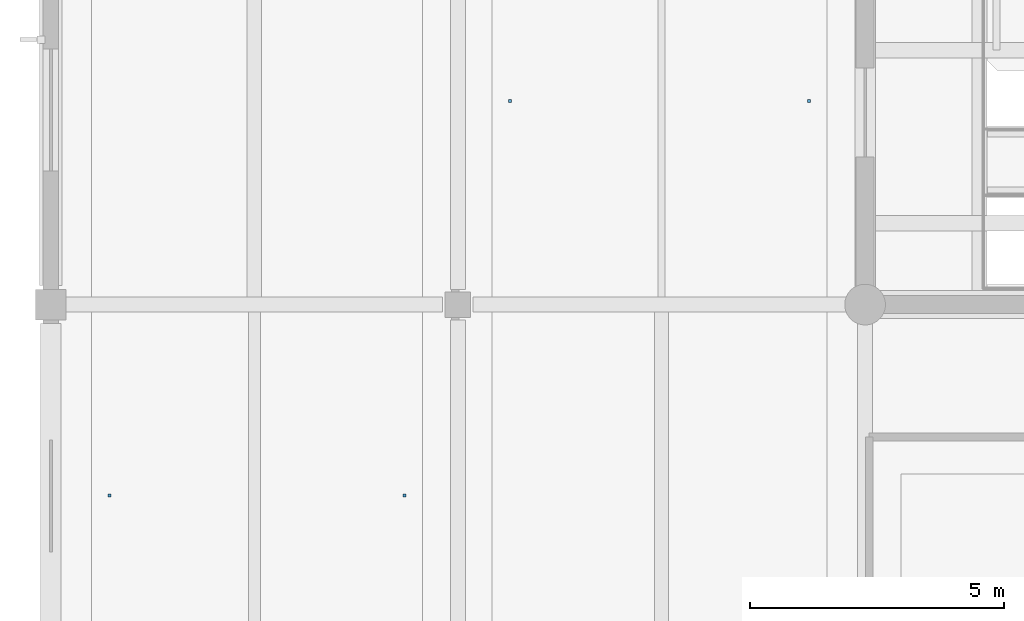
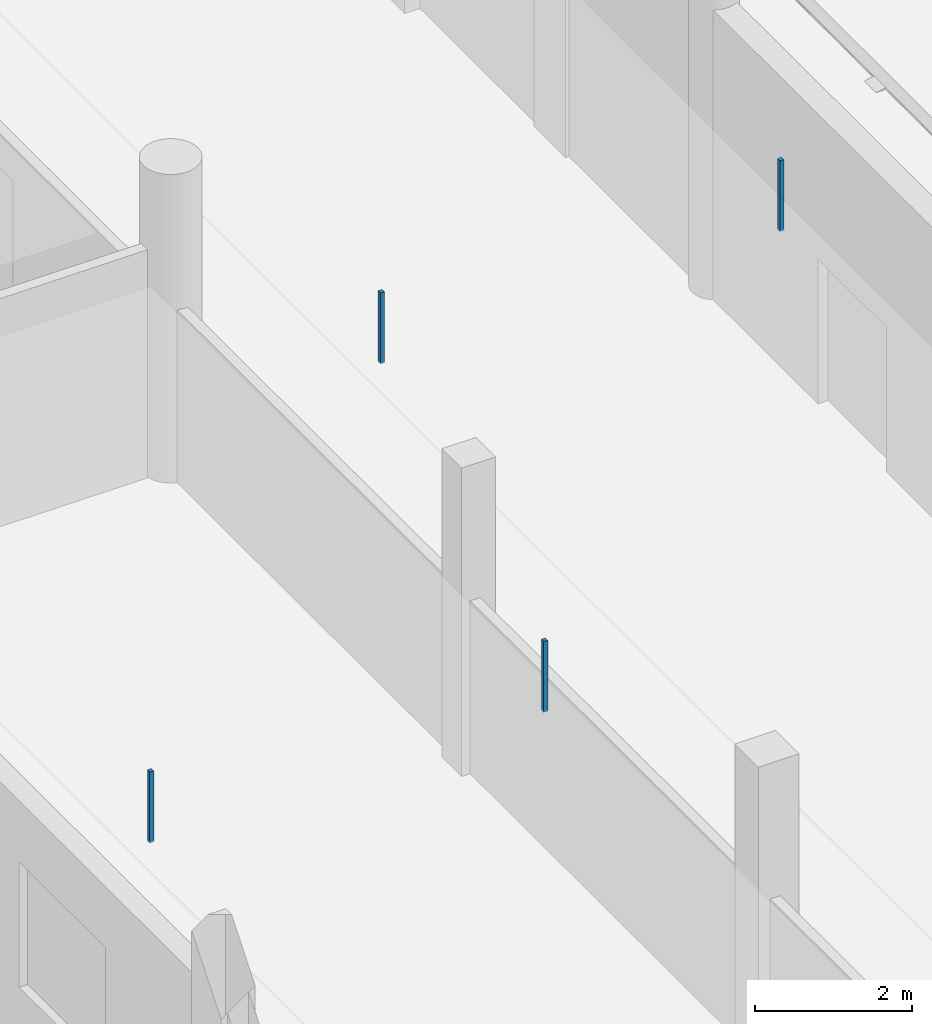
# One storey, part 107 of 147: 4 discrete accessories.
"""IFC4 building model written with IfcOpenShell, lengths in metres."""

import ifcopenshell
import ifcopenshell.guid

model = None  # the IFC model being written
_history = None  # IfcOwnerHistory: only IFC2X3 demands one
_inside = {}  # id of a spatial element -> (the spatial element, [elements in it])
_under = {}  # id of a project, library or spatial element -> (it, [spatial elements below it])
_declared = {}  # id of a project -> (the project, [libraries it declares])
_typed = {}  # id of a type object -> (the type object, [elements of that type])
_made_of = {}  # id of a material, layer set ... -> (it, [elements and type objects made of it])


def new_model(schema):
    """Start an empty IFC model of exactly this schema.

    Asked for "IFC4X3", IfcOpenShell would pick the latest addendum, in which some entities
    have other attributes; the version numbers below select the first issue.
    IFC2X3 requires an IfcOwnerHistory on every rooted entity: one is made here for all.
    """
    global model, _history
    if schema == "IFC4X3":
        model = ifcopenshell.file(schema_version=(4, 3, 0, 0))
    else:
        model = ifcopenshell.file(schema=schema)
    _inside.clear()
    _under.clear()
    _declared.clear()
    _typed.clear()
    _made_of.clear()
    _history = None
    if model.schema == "IFC2X3":
        org = make("IfcOrganization", Name="unknown")
        user = make(
            "IfcPersonAndOrganization",
            ThePerson=make("IfcPerson", FamilyName="unknown"),
            TheOrganization=org,
        )
        app = make(
            "IfcApplication",
            ApplicationDeveloper=org,
            Version="unknown",
            ApplicationFullName="unknown",
            ApplicationIdentifier="unknown",
        )
        _history = make(
            "IfcOwnerHistory",
            OwningUser=user,
            OwningApplication=app,
            ChangeAction="ADDED",
            CreationDate=0,
        )
    return model


def make(cls, **values):
    """One entity of the class cls with the attributes given. An attribute that is None is left unset."""
    return model.create_entity(
        cls, **{name: value for name, value in values.items() if value is not None}
    )


def rooted(cls, **values):
    """An entity with a GlobalId (a new one), such as an element, a storey or a relation."""
    return make(cls, GlobalId=ifcopenshell.guid.new(), OwnerHistory=_history, **values)


def si_unit(unit_type, name, prefix=None):
    """IfcSIUnit, for example si_unit("LENGTHUNIT", "METRE", prefix="MILLI")."""
    return make("IfcSIUnit", UnitType=unit_type, Prefix=prefix, Name=name)


def assignment(units):
    """IfcUnitAssignment: the units of a project."""
    return None if units is None else make("IfcUnitAssignment", Units=units)


def point(xyz):
    """IfcCartesianPoint."""
    return None if xyz is None else make("IfcCartesianPoint", Coordinates=xyz)


def direction(xyz):
    """IfcDirection."""
    return None if xyz is None else make("IfcDirection", DirectionRatios=xyz)


def frame(location, z_axis=None, x_axis=None):
    """IfcAxis2Placement3D, a coordinate frame: its origin and axes. An axis left out is left unset."""
    return make(
        "IfcAxis2Placement3D",
        Location=point(location),
        Axis=direction(z_axis),
        RefDirection=direction(x_axis),
    )


def frame_2d(location, x_axis=None):
    """IfcAxis2Placement2D, a coordinate frame in the plane: its origin and x axis."""
    return make(
        "IfcAxis2Placement2D", Location=point(location), RefDirection=direction(x_axis)
    )


def origin():
    """The frame at (0, 0, 0) with its axes left unset."""
    return frame((0.0, 0.0, 0.0))


def origin_2d():
    """The frame at (0, 0) in the plane with its x axis left unset."""
    return frame_2d((0.0, 0.0))


def place(relative_to, where):
    """IfcLocalPlacement: puts the frame where relative to a parent placement (None: the world)."""
    return make(
        "IfcLocalPlacement", PlacementRelTo=relative_to, RelativePlacement=where
    )


def context(
    kind, dimensions, precision=None, world=None, true_north=None, identifier=None
):
    """IfcGeometricRepresentationContext, for example the 3D "Model" context."""
    return make(
        "IfcGeometricRepresentationContext",
        ContextIdentifier=identifier,
        ContextType=kind,
        CoordinateSpaceDimension=dimensions,
        Precision=precision,
        WorldCoordinateSystem=world,
        TrueNorth=true_north,
    )


def subcontext(parent, identifier, kind, view, scale=None):
    """IfcGeometricRepresentationSubContext, for example "Body" below "Model"."""
    return make(
        "IfcGeometricRepresentationSubContext",
        ContextIdentifier=identifier,
        ContextType=kind,
        ParentContext=parent,
        TargetScale=scale,
        TargetView=view,
    )


def project(units=None, contexts=None):
    """IfcProject with its units and contexts."""
    return rooted(
        "IfcProject",
        Name="project",
        RepresentationContexts=contexts,
        UnitsInContext=assignment(units),
    )


def spatial(cls, under=None, at=None, **own):
    """A site, building, storey or space (cls), placed at a placement, below another one or the project."""
    s = rooted(cls, ObjectPlacement=at, **own)
    if under is not None:
        _under.setdefault(under.id(), (under, []))[1].append(s)
    return s


def profile(cls, at=None, kind="AREA", **sizes):
    """A parametric profile (cls). Its sizes go by their IFC names, for example OverallWidth=200.0."""
    return make(cls, ProfileType=kind, Position=at, **sizes)


def rectangle(**sizes):
    """IfcRectangleProfileDef."""
    return profile("IfcRectangleProfileDef", **sizes)


def extrude(swept, where, along, depth):
    """IfcExtrudedAreaSolid: the profile swept, set in the frame where, extruded along a direction by depth."""
    return make(
        "IfcExtrudedAreaSolid",
        SweptArea=swept,
        Position=where,
        ExtrudedDirection=direction(along),
        Depth=depth,
    )


def shape(context_of_items, identifier, shape_type, items):
    """IfcShapeRepresentation: the items that make up one representation, for example the "Body"."""
    return make(
        "IfcShapeRepresentation",
        ContextOfItems=context_of_items,
        RepresentationIdentifier=identifier,
        RepresentationType=shape_type,
        Items=items,
    )


def material(Name=None, Category=None):
    """IfcMaterial."""
    return make("IfcMaterial", Name=Name, Category=Category)


def made_of(thing, what):
    """Note that an element or type object is made of a material, layer set ...; save() writes the relation."""
    if what is not None:
        _made_of.setdefault(what.id(), (what, []))[1].append(thing)
    return thing


def type_object(cls, material=None, **own):
    """A type object (cls), such as IfcWallType, which elements share."""
    return made_of(rooted(cls, **own), material)


def element(
    cls,
    number,
    at=None,
    inside=None,
    cuts=None,
    type_object=None,
    material=None,
    context=None,
    identifier="Body",
    shape_type=None,
    held_by="IfcProductDefinitionShape",
    body=None,
    shapes=None,
    **own,
):
    """One element of the class cls, such as IfcWall. Its Tag is "e" and its number.

    at: its placement. inside: the storey or other place that contains it. cuts: it is an
    opening in that element (IfcRelVoidsElement). A single representation is given by context,
    identifier, shape_type and body (its items); several are given by shapes. held_by: the class
    of the entity that holds the representations. save() writes the other relations.
    """
    e = rooted(cls, Tag="e%d" % number, ObjectPlacement=at, **own)
    if body is not None:
        shapes = [shape(context, identifier, shape_type, body)]
    if shapes is not None:
        e.Representation = make(held_by, Representations=shapes)
    if inside is not None:
        _inside.setdefault(inside.id(), (inside, []))[1].append(e)
    if cuts is not None:
        rooted(
            "IfcRelVoidsElement", RelatingBuildingElement=cuts, RelatedOpeningElement=e
        )
    if type_object is not None:
        _typed.setdefault(type_object.id(), (type_object, []))[1].append(e)
    return made_of(e, material)


def aggregate(whole, parts):
    """IfcRelAggregates: a whole, such as a stair, and the parts it consists of."""
    return rooted("IfcRelAggregates", RelatingObject=whole, RelatedObjects=parts)


def save(model, path):
    """Write the relations noted so far, then the file.

    IfcRelAggregates (storeys below a building ...), IfcRelContainedInSpatialStructure (elements
    in a storey), IfcRelDefinesByType, IfcRelAssociatesMaterial and IfcRelDeclares: one each for
    every whole, place, type object, material and project.
    """
    for whole, parts in _under.values():
        aggregate(whole, parts)
    for where, things in _inside.values():
        rooted(
            "IfcRelContainedInSpatialStructure",
            RelatedElements=things,
            RelatingStructure=where,
        )
    for kind, things in _typed.values():
        rooted("IfcRelDefinesByType", RelatedObjects=things, RelatingType=kind)
    for what, things in _made_of.values():
        rooted("IfcRelAssociatesMaterial", RelatedObjects=things, RelatingMaterial=what)
    for by, libraries in _declared.values():
        rooted("IfcRelDeclares", RelatingContext=by, RelatedDefinitions=libraries)
    model.write(path)


model = new_model("IFC4")

# Units and contexts
model_context = context("Model", 3, precision=1e-05, world=origin(), true_north=direction((0.0, 1.0)))
body_context = subcontext(model_context, "Body", "Model", "MODEL_VIEW")
ifc_project = project(units=[si_unit("LENGTHUNIT", "METRE"), si_unit("AREAUNIT", "SQUARE_METRE"), si_unit("VOLUMEUNIT", "CUBIC_METRE"), si_unit("PLANEANGLEUNIT", "RADIAN"), si_unit("MASSUNIT", "GRAM", prefix="KILO")], contexts=[model_context])

# Site, building, storey
site_placement = place(None, origin())
site = spatial("IfcSite", under=ifc_project, at=site_placement, CompositionType="ELEMENT")
building_placement = place(site_placement, origin())
building = spatial("IfcBuilding", under=site, at=building_placement, Name="Khelvaren Railside Concert Hall", CompositionType="ELEMENT")
storey_placement = place(building_placement, frame((0.0, 0.0, 5.39990234375)))
storey = spatial("IfcBuildingStorey", under=building, at=storey_placement, Name="L01", CompositionType="ELEMENT", Elevation=5.39990234375)

# Discrete accessories
ifc_material = material(Name="Galvanised steel acoustic ceiling hanger rod", Category="steel")
discrete_accessory_type = type_object("IfcDiscreteAccessoryType", Name="BRK62", PredefinedType="BRACKET", material=ifc_material)
for number, where, z_axis, x_axis, name in (
    (1, (9.02001953125, 87.60009765625, 3.429931640625), (0.0, 0.0, 1.0), (1.0, 0.0, 0.0), "Acoustic Ceiling Suspension Bracket 106-1"),
    (2, (14.89990234375, 87.60009765625, 3.429931640625), (0.0, 0.0, 1.0), (1.0, 0.0, 0.0), "Acoustic Ceiling Suspension Bracket 106-2"),
    (3, (1.14990234375, 79.85009765625, 3.429931640625), (0.0, 0.0, 1.0), (1.0, 0.0, 0.0), "Acoustic Ceiling Suspension Bracket 110-1"),
    (4, (6.949951171875, 79.85009765625, 3.429931640625), (0.0, 0.0, 1.0), (1.0, 0.0, 0.0), "Acoustic Ceiling Suspension Bracket 110-2"),
):
    element("IfcDiscreteAccessory", number, at=place(storey_placement, frame(where, z_axis=z_axis, x_axis=x_axis)), inside=storey, type_object=discrete_accessory_type, Name=name, PredefinedType="BRACKET", context=body_context, shape_type="SweptSolid", body=[
        extrude(rectangle(XDim=0.06005859375, YDim=0.06005859375, at=origin_2d()), origin(), (0.0, 0.0, 1.0), 1.10009765625),
    ])

save(model, "model.ifc")
